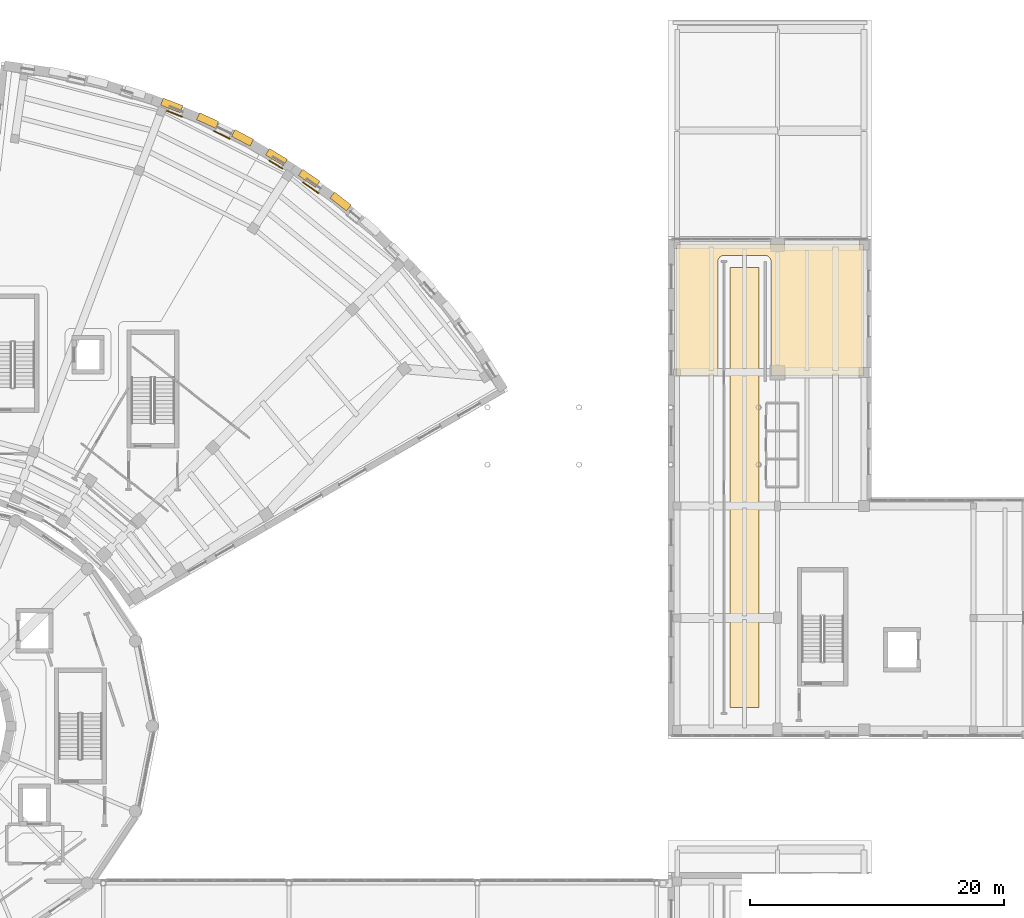
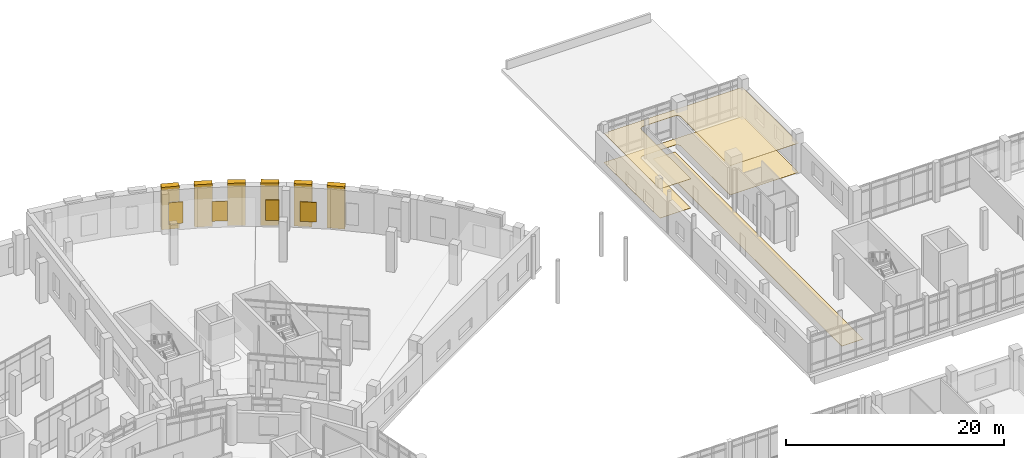
# One storey, part 87 of 89: 13 coverings.
"""IFC4 building model written with IfcOpenShell, lengths in metres."""

from ifc_helpers import new_model, si_unit, direction, frame, origin, origin_2d, place, context, subcontext, project, spatial, polyline, rectangle, outline, extrude, material, layer, layer_set, type_object, element, save


model = new_model("IFC4")

# Units and contexts
model_context = context("Model", 3, precision=1e-05, world=origin(), true_north=direction((0.0, 1.0)))
body_context = subcontext(model_context, "Body", "Model", "MODEL_VIEW")
ifc_project = project(units=[si_unit("LENGTHUNIT", "METRE"), si_unit("AREAUNIT", "SQUARE_METRE"), si_unit("VOLUMEUNIT", "CUBIC_METRE"), si_unit("PLANEANGLEUNIT", "RADIAN"), si_unit("MASSUNIT", "GRAM", prefix="KILO")], contexts=[model_context])

# Site, building, storey
site_placement = place(None, origin())
site = spatial("IfcSite", under=ifc_project, at=site_placement, CompositionType="ELEMENT")
building_placement = place(site_placement, origin())
building = spatial("IfcBuilding", under=site, at=building_placement, Name="Soyqirgoq Riverine Aquarium", CompositionType="ELEMENT")
storey_placement = place(building_placement, frame((0.0, 0.0, 5.39990234375)))
storey = spatial("IfcBuildingStorey", under=building, at=storey_placement, Name="L02", CompositionType="ELEMENT", Elevation=5.39990234375)

# Coverings
ifc_material_1 = material(Name="Seamless slip-resistant marine epoxy flooring", Category="concrete")
ifc_layer_1 = layer(ifc_material_1, 0.02001953125)
ifc_layer_set_1 = layer_set([ifc_layer_1], Name="Seamless slip-resistant marine epoxy flooring")
covering_type_1 = type_object("IfcCoveringType", Name="EpoxyWetFloorFinish_20", PredefinedType="FLOORING", material=ifc_layer_set_1)
covering_1_placement = place(storey_placement, origin())
element("IfcCovering", 1, at=covering_1_placement, inside=storey, type_object=covering_type_1, Name="Quarantine Holding Suite Floor Finish", PredefinedType="FLOORING", context=body_context, shape_type="SweptSolid", body=[
    extrude(outline(polyline([(114.64990234375, 94.85009765625), (129.35009765625, 94.85009765625), (129.35009765625, 84.530029296875), (122.080078125, 84.530029296875), (122.080078125, 93.530029296875), (122.077880859375, 93.573974609375), (122.071044921875, 93.617919921875), (122.06103515625, 93.660888671875), (122.0458984375, 93.701904296875), (122.027099609375, 93.741943359375), (122.00390625, 93.780029296875), (121.97802734375, 93.81494140625), (121.947998046875, 93.847900390625), (121.9150390625, 93.8779296875), (121.8798828125, 93.904052734375), (121.842041015625, 93.927001953125), (121.802001953125, 93.946044921875), (121.760986328125, 93.9609375), (121.718017578125, 93.970947265625), (121.674072265625, 93.97802734375), (121.6298828125, 93.97998046875), (118.3701171875, 93.97998046875), (118.325927734375, 93.97802734375), (118.281982421875, 93.970947265625), (118.239013671875, 93.9609375), (118.197998046875, 93.946044921875), (118.157958984375, 93.927001953125), (118.1201171875, 93.904052734375), (118.0849609375, 93.8779296875), (118.052001953125, 93.847900390625), (118.02197265625, 93.81494140625), (117.99609375, 93.780029296875), (117.972900390625, 93.741943359375), (117.9541015625, 93.701904296875), (117.93896484375, 93.660888671875), (117.928955078125, 93.617919921875), (117.922119140625, 93.573974609375), (117.919921875, 93.530029296875), (117.919921875, 84.530029296875), (114.64990234375, 84.530029296875), (114.64990234375, 94.85009765625)])), origin(), (0.0, 0.0, 1.0), 0.02001953125),
])
ifc_material_2 = material(Name="Anodised aluminium marine moisture-resistant ceiling", Category="aluminium")
ifc_layer_2 = layer(ifc_material_2, 0.0400390625)
ifc_layer_set_2 = layer_set([ifc_layer_2], Name="Anodised aluminium marine moisture-resistant ceiling")
covering_type_2 = type_object("IfcCoveringType", Name="MoistureCeiling_40", PredefinedType="CEILING", material=ifc_layer_set_2)
covering_2_placement = place(storey_placement, frame((0.0, 0.0, 3.260009765625)))
element("IfcCovering", 2, at=covering_2_placement, inside=storey, type_object=covering_type_2, Name="Quarantine Holding Suite Suspended Ceiling", PredefinedType="CEILING", context=body_context, shape_type="SweptSolid", body=[
    extrude(outline(polyline([(114.64990234375, 94.85009765625), (129.35009765625, 94.85009765625), (129.35009765625, 84.530029296875), (122.080078125, 84.530029296875), (122.080078125, 93.530029296875), (122.077880859375, 93.573974609375), (122.071044921875, 93.617919921875), (122.06103515625, 93.660888671875), (122.0458984375, 93.701904296875), (122.027099609375, 93.741943359375), (122.00390625, 93.780029296875), (121.97802734375, 93.81494140625), (121.947998046875, 93.847900390625), (121.9150390625, 93.8779296875), (121.8798828125, 93.904052734375), (121.842041015625, 93.927001953125), (121.802001953125, 93.946044921875), (121.760986328125, 93.9609375), (121.718017578125, 93.970947265625), (121.674072265625, 93.97802734375), (121.6298828125, 93.97998046875), (118.3701171875, 93.97998046875), (118.325927734375, 93.97802734375), (118.281982421875, 93.970947265625), (118.239013671875, 93.9609375), (118.197998046875, 93.946044921875), (118.157958984375, 93.927001953125), (118.1201171875, 93.904052734375), (118.0849609375, 93.8779296875), (118.052001953125, 93.847900390625), (118.02197265625, 93.81494140625), (117.99609375, 93.780029296875), (117.972900390625, 93.741943359375), (117.9541015625, 93.701904296875), (117.93896484375, 93.660888671875), (117.928955078125, 93.617919921875), (117.922119140625, 93.573974609375), (117.919921875, 93.530029296875), (117.919921875, 84.530029296875), (114.64990234375, 84.530029296875), (114.64990234375, 94.85009765625)])), origin(), (0.0, 0.0, 1.0), 0.0400390625),
])
ifc_material_3 = material(Name="Anodised extruded aluminium sunshade", Category="aluminium")
covering_type_3 = type_object("IfcCoveringType", Name="SolarShadingLouvre_450", PredefinedType="USERDEFINED", material=ifc_material_3)
covering_3_placement = place(storey_placement, frame((75.2021484375, 105.130615234375, 0.750244140625), z_axis=(0.0, 0.0, 1.0), x_axis=(0.928809552872, -0.37055743751, 0.0)))
element("IfcCovering", 3, at=covering_3_placement, inside=storey, type_object=covering_type_3, Name="V5 L02 Travertine Niche Solar Shade 0076", ObjectType="SOLAR_SHADING", PredefinedType="USERDEFINED", context=body_context, shape_type="SweptSolid", body=[
    extrude(rectangle(XDim=1.340087890625, YDim=0.080078125, at=origin_2d()), origin(), (0.0, 0.0, 1.0), 2.39990234375),
])
covering_4_placement = place(storey_placement, frame((78.919189453125, 103.4755859375, 0.75), z_axis=(0.0, 0.0, 1.0), x_axis=(0.896872741533, -0.442288690219, 0.0)))
element("IfcCovering", 4, at=covering_4_placement, inside=storey, type_object=covering_type_3, Name="V5 L02 Travertine Niche Solar Shade 0077", ObjectType="SOLAR_SHADING", PredefinedType="USERDEFINED", context=body_context, shape_type="SweptSolid", body=[
    extrude(rectangle(XDim=1.43994140625, YDim=0.080078125, at=origin_2d()), origin(), (0.0, 0.0, 1.0), 2.199951171875),
])
covering_5_placement = place(storey_placement, frame((83.165283203125, 101.13525390625, 0.75), z_axis=(0.0, 0.0, 1.0), x_axis=(0.859406411501, -0.511293086077, 0.0)))
element("IfcCovering", 5, at=covering_5_placement, inside=storey, type_object=covering_type_3, Name="V5 L02 Travertine Niche Solar Shade 0078", ObjectType="SOLAR_SHADING", PredefinedType="USERDEFINED", context=body_context, shape_type="SweptSolid", body=[
    extrude(rectangle(XDim=1.239990234375, YDim=0.080078125, at=origin_2d()), origin(), (0.0, 0.0, 1.0), 2.300048828125),
])
covering_6_placement = place(storey_placement, frame((85.907470703125, 99.318115234375, 0.75), z_axis=(0.0, 0.0, 1.0), x_axis=(0.816641555162, -0.577145190037, 0.0)))
element("IfcCovering", 6, at=covering_6_placement, inside=storey, type_object=covering_type_3, Name="V5 L02 Travertine Niche Solar Shade 0079", ObjectType="SOLAR_SHADING", PredefinedType="USERDEFINED", context=body_context, shape_type="SweptSolid", body=[
    extrude(rectangle(XDim=1.5400390625, YDim=0.080078125, at=origin_2d()), origin(), (0.0, 0.0, 1.0), 2.199951171875),
])
ifc_material_4 = material(Name="Polished Chirchiq river-pebble terrazzo flooring", Category="concrete")
ifc_layer_3 = layer(ifc_material_4, 0.030029296875)
ifc_layer_set_3 = layer_set([ifc_layer_3], Name="Polished Chirchiq river-pebble terrazzo flooring")
covering_type_4 = type_object("IfcCoveringType", Name="TerrazzoFloorFinish_30", PredefinedType="FLOORING", material=ifc_layer_set_3)
covering_7_placement = place(storey_placement, origin())
element("IfcCovering", 7, at=covering_7_placement, inside=storey, type_object=covering_type_4, Name="Quarantine Biosecurity Corridor Floor Finish", PredefinedType="FLOORING", context=body_context, shape_type="SweptSolid", body=[
    extrude(outline(polyline([(118.85009765625, 58.449951171875), (118.85009765625, 93.050048828125), (121.14990234375, 93.050048828125), (121.14990234375, 58.449951171875), (118.85009765625, 58.449951171875)])), origin(), (0.0, 0.0, 1.0), 0.030029296875),
])
ifc_material_5 = material(Name="Honed Uzbek travertine limestone vertical niche pier", Category="masonry")
covering_type_5 = type_object("IfcCoveringType", Name="TravertineNichePier_550", PredefinedType="CLADDING", material=ifc_material_5)
for number, where, z_axis, x_axis, name in (
    (8, (88.251953125, 98.235107421875, 0.0), (0.0, 0.0, 1.0), (0.616073992379, 0.787688286008, 0.0), "V5 L02 Travertine Vertical Niche Pier 134"),
    (9, (85.784423828125, 100.05126953125, 0.0), (0.0, 0.0, 1.0), (0.568992506345, 0.82234270698, 0.0), "V5 L02 Travertine Vertical Niche Pier 135"),
    (10, (83.21484375, 101.719970703125, 0.0), (0.0, 0.0, 1.0), (0.519817342621, 0.854277431699, 0.0), "V5 L02 Travertine Vertical Niche Pier 136"),
    (11, (80.552001953125, 103.235595703125, 0.0), (0.0, 0.0, 1.0), (0.469009188174, 0.883193286551, 0.0), "V5 L02 Travertine Vertical Niche Pier 137"),
    (12, (77.80517578125, 104.5927734375, 0.0), (0.0, 0.0, 1.0), (0.416598150168, 0.909090744247, 0.0), "V5 L02 Travertine Vertical Niche Pier 138"),
    (13, (74.9833984375, 105.786865234375, 0.0), (0.0, 0.0, 1.0), (0.362600698822, 0.931944597717, 0.0), "V5 L02 Travertine Vertical Niche Pier 139"),
):
    element("IfcCovering", number, at=place(storey_placement, frame(where, z_axis=z_axis, x_axis=x_axis)), inside=storey, type_object=covering_type_5, Name=name, PredefinedType="CLADDING", context=body_context, shape_type="SweptSolid", body=[
        extrude(rectangle(XDim=0.60009765625, YDim=1.64990234375, at=origin_2d()), origin(), (0.0, 0.0, 1.0), 4.75),
    ])

save(model, "model.ifc")
